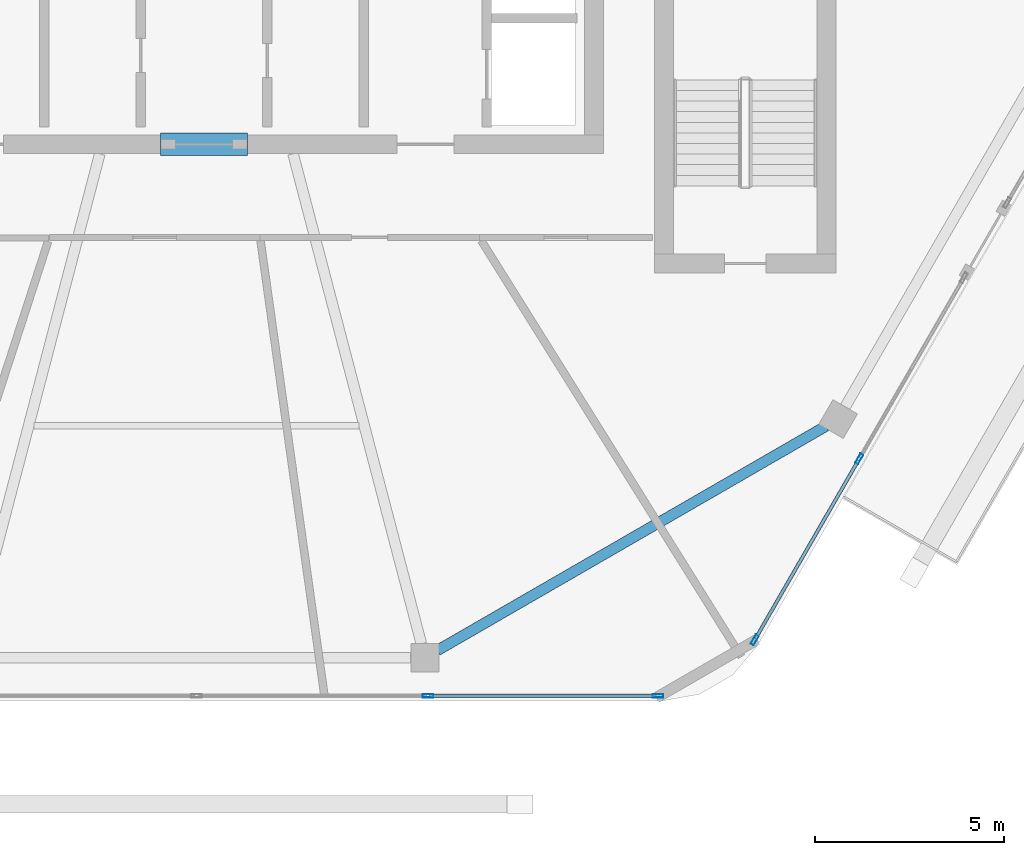
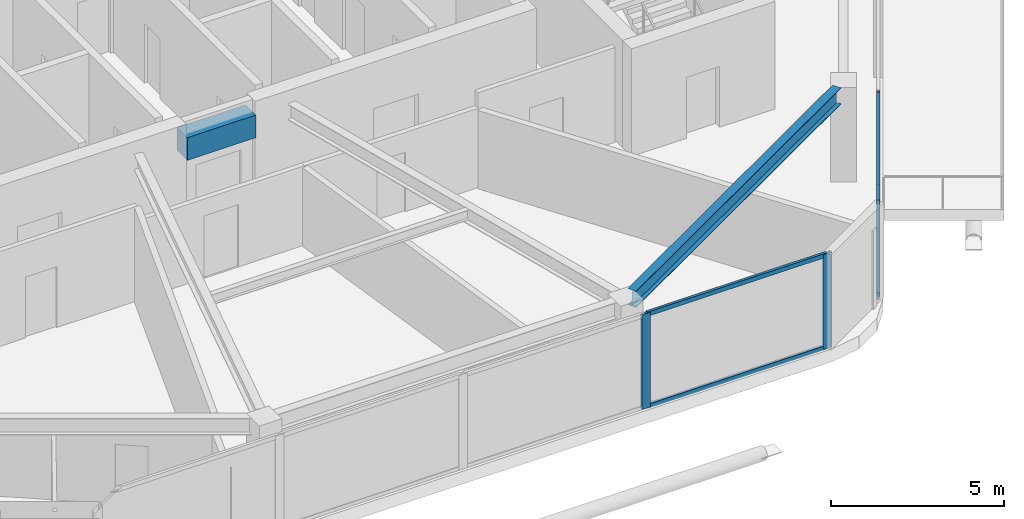
# One storey, part 6 of 22: 8 members, 2 beams, 2 elements without a shape of their own.
"""IFC4 building model written with IfcOpenShell, lengths in metres."""

from ifc_helpers import new_model, si_unit, direction, frame, origin, origin_2d, place, context, subcontext, project, spatial, rectangle, hollow_rectangle, i_section, extrude, material, material_profile, profile_set, type_object, element, aggregate, save


model = new_model("IFC4")

# Units and contexts
model_context = context("Model", 3, precision=1e-05, world=origin(), true_north=direction((0.0, 1.0)))
body_context = subcontext(model_context, "Body", "Model", "MODEL_VIEW")
ifc_project = project(units=[si_unit("LENGTHUNIT", "METRE"), si_unit("AREAUNIT", "SQUARE_METRE"), si_unit("VOLUMEUNIT", "CUBIC_METRE"), si_unit("PLANEANGLEUNIT", "RADIAN"), si_unit("MASSUNIT", "GRAM", prefix="KILO")], contexts=[model_context])

# Site, building, storey
site_placement = place(None, origin())
site = spatial("IfcSite", under=ifc_project, at=site_placement, CompositionType="ELEMENT")
building_placement = place(site_placement, origin())
building = spatial("IfcBuilding", under=site, at=building_placement, Name="Zuhravey Tower", CompositionType="ELEMENT")
storey_placement = place(building_placement, frame((0.0, 0.0, 357.60009765625)))
storey = spatial("IfcBuildingStorey", under=building, at=storey_placement, Name="L91", CompositionType="ELEMENT", Elevation=357.60009765625)

# Beam
ifc_material_1 = material(Name="Concrete C50/60", Category="concrete")
ifc_material_profile_1 = material_profile(ifc_material_1, rectangle(XDim=0.60009765625, YDim=0.800048828125, at=origin_2d()), Name="RC-600x800")
ifc_profile_set_1 = profile_set([ifc_material_profile_1], Name="Concrete C50/60")
beam_type_1 = type_object("IfcBeamType", Name="Core Coupling Beam RC600x800", PredefinedType="LINTEL", material=ifc_profile_set_1)
beam_1_placement = place(storey_placement, frame((35.052001953125, 22.5, 2.949951171875), z_axis=(1.0, 0.0, 0.0), x_axis=(0.0, 1.0, 0.0)))
element("IfcBeam", 1, at=beam_1_placement, inside=storey, type_object=beam_type_1, Name="L91 CB2 BM-L91-CB-S", PredefinedType="LINTEL", context=body_context, shape_type="SweptSolid", body=[
    extrude(rectangle(XDim=0.60009765625, YDim=0.800048828125, at=origin_2d()), origin(), (0.0, 0.0, 1.0), 2.2958984375),
])

# Curtain wall, members
ifc_material_2 = material(Name="Thermally broken anodised aluminium", Category="aluminium")
curtain_wall_type = type_object("IfcCurtainWallType", Name="Zone 3-4 High-Rise Curtain Wall CW4", PredefinedType="NOTDEFINED", material=ifc_material_2)
curtain_wall_1_placement = place(storey_placement, origin())
curtain_wall_1 = element("IfcCurtainWall", 2, at=curtain_wall_1_placement, inside=storey, type_object=curtain_wall_type, Name="L91 CW4 CW-L91-F6-2", PredefinedType="NOTDEFINED")
ifc_material_3 = material(Name="Anodised aluminium", Category="aluminium")
ifc_material_profile_2 = material_profile(ifc_material_3, hollow_rectangle(XDim=0.090087890625, YDim=0.284912109375, WallThickness=0.0048828125, at=origin_2d()), Name="ALU-RHS-90x285x5")
ifc_profile_set_2 = profile_set([ifc_material_profile_2], Name="Anodised aluminium")
member_type_1 = type_object("IfcMemberType", Name="Curtain-Wall Mullion 90x180", PredefinedType="MULLION", material=ifc_profile_set_2)
member_1_placement = place(storey_placement, frame((53.513916015625, 14.186767578125, 0.0), z_axis=(0.0, 0.0, 1.0), x_axis=(0.866023083552, -0.500004018739, 0.0)))
member_1 = element("IfcMember", 3, at=member_1_placement, type_object=member_type_1, Name="CW4 mullion 2", PredefinedType="MULLION", context=body_context, shape_type="SweptSolid", body=[
    extrude(hollow_rectangle(XDim=0.090087890625, YDim=0.284912109375, WallThickness=0.0048828125, at=origin_2d()), origin(), (0.0, 0.0, 1.0), 3.349853515625),
])
member_2_placement = place(storey_placement, frame((50.751708984375, 9.40234375, 0.0), z_axis=(0.0, 0.0, 1.0), x_axis=(0.866023083552, -0.500004018739, 0.0)))
member_2 = element("IfcMember", 4, at=member_2_placement, type_object=member_type_1, Name="CW4 mullion 3", PredefinedType="MULLION", context=body_context, shape_type="SweptSolid", body=[
    extrude(hollow_rectangle(XDim=0.090087890625, YDim=0.284912109375, WallThickness=0.0048828125, at=origin_2d()), origin(), (0.0, 0.0, 1.0), 3.349853515625),
])

curtain_wall_2_placement = place(storey_placement, origin())
curtain_wall_2 = element("IfcCurtainWall", 5, at=curtain_wall_2_placement, inside=storey, type_object=curtain_wall_type, Name="L91 CW4 CW-L91-F5-1", PredefinedType="NOTDEFINED")
member_3_placement = place(storey_placement, frame((48.1943359375, 7.92578125, 0.0), z_axis=(0.0, 0.0, 1.0), x_axis=(0.0, -1.0, 0.0)))
member_3 = element("IfcMember", 6, at=member_3_placement, type_object=member_type_1, Name="CW4 mullion 1", PredefinedType="MULLION", context=body_context, shape_type="SweptSolid", body=[
    extrude(hollow_rectangle(XDim=0.090087890625, YDim=0.284912109375, WallThickness=0.0048828125, at=origin_2d()), origin(), (0.0, 0.0, 1.0), 3.349853515625),
])
member_4_placement = place(storey_placement, frame((42.11962890625, 7.92578125, 0.0), z_axis=(0.0, 0.0, 1.0), x_axis=(0.0, -1.0, 0.0)))
member_4 = element("IfcMember", 7, at=member_4_placement, type_object=member_type_1, Name="CW4 mullion 2", PredefinedType="MULLION", context=body_context, shape_type="SweptSolid", body=[
    extrude(hollow_rectangle(XDim=0.090087890625, YDim=0.284912109375, WallThickness=0.0048828125, at=origin_2d()), origin(), (0.0, 0.0, 1.0), 3.349853515625),
])

# Member
ifc_material_profile_3 = material_profile(ifc_material_3, hollow_rectangle(XDim=0.090087890625, YDim=0.14990234375, WallThickness=0.0048828125, at=origin_2d()), Name="ALU-RHS-90x150x5")
ifc_profile_set_3 = profile_set([ifc_material_profile_3], Name="Anodised aluminium")
member_type_2 = type_object("IfcMemberType", Name="Curtain-Wall Transom 90x150", PredefinedType="USERDEFINED", material=ifc_profile_set_3)
member_5_placement = place(storey_placement, frame((53.491455078125, 14.14794921875, 0.044921875), z_axis=(-0.499994660107, -0.866028486751, 0.0), x_axis=(0.866028486751, -0.499994660107, 0.0)))
member_5 = element("IfcMember", 8, at=member_5_placement, type_object=member_type_2, Name="CW4 transom 2.1", ObjectType="TRANSOM", PredefinedType="USERDEFINED", context=body_context, shape_type="SweptSolid", body=[
    extrude(hollow_rectangle(XDim=0.090087890625, YDim=0.14990234375, WallThickness=0.0048828125, at=origin_2d()), origin(), (0.0, 0.0, 1.0), 5.4345703125),
])

member_6_placement = place(storey_placement, frame((53.491455078125, 14.14794921875, 3.304931640625), z_axis=(-0.499994660107, -0.866028486751, 0.0), x_axis=(0.866028486751, -0.499994660107, 0.0)))
member_6 = element("IfcMember", 9, at=member_6_placement, type_object=member_type_2, Name="CW4 transom 2.2", ObjectType="TRANSOM", PredefinedType="USERDEFINED", context=body_context, shape_type="SweptSolid", body=[
    extrude(hollow_rectangle(XDim=0.090087890625, YDim=0.14990234375, WallThickness=0.0048828125, at=origin_2d()), origin(), (0.0, 0.0, 1.0), 5.4345703125),
])

aggregate(curtain_wall_1, [member_1, member_2, member_5, member_6])

member_7_placement = place(storey_placement, frame((48.1494140625, 7.92578125, 0.044921875), z_axis=(-1.0, 0.0, 0.0), x_axis=(0.0, -1.0, 0.0)))
member_7 = element("IfcMember", 10, at=member_7_placement, type_object=member_type_2, Name="CW4 transom 1.1", ObjectType="TRANSOM", PredefinedType="USERDEFINED", context=body_context, shape_type="SweptSolid", body=[
    extrude(hollow_rectangle(XDim=0.090087890625, YDim=0.14990234375, WallThickness=0.0048828125, at=origin_2d()), origin(), (0.0, 0.0, 1.0), 5.98486328125),
])

member_8_placement = place(storey_placement, frame((48.1494140625, 7.92578125, 3.304931640625), z_axis=(-1.0, 0.0, 0.0), x_axis=(0.0, -1.0, 0.0)))
member_8 = element("IfcMember", 11, at=member_8_placement, type_object=member_type_2, Name="CW4 transom 1.2", ObjectType="TRANSOM", PredefinedType="USERDEFINED", context=body_context, shape_type="SweptSolid", body=[
    extrude(hollow_rectangle(XDim=0.090087890625, YDim=0.14990234375, WallThickness=0.0048828125, at=origin_2d()), origin(), (0.0, 0.0, 1.0), 5.98486328125),
])

aggregate(curtain_wall_2, [member_3, member_4, member_7, member_8])

# Beam
ifc_material_4 = material(Name="Steel SM355", Category="steel")
ifc_material_profile_4 = material_profile(ifc_material_4, i_section(OverallWidth=0.280029296875, OverallDepth=0.580078125, WebThickness=0.011962890625, FlangeThickness=0.01904296875, at=origin_2d()), Name="H-580x280x12x19")
ifc_profile_set_4 = profile_set([ifc_material_profile_4], Name="Steel SM355")
beam_type_2 = type_object("IfcBeamType", Name="Perimeter Ring Beam H580x280", PredefinedType="BEAM", material=ifc_profile_set_4)
beam_2_placement = place(storey_placement, frame((42.365966796875, 9.125, 3.059814453125), z_axis=(0.866030838723, 0.499990586292, 0.0), x_axis=(-0.499990586292, 0.866030838723, 0.0)))
element("IfcBeam", 12, at=beam_2_placement, inside=storey, type_object=beam_type_2, Name="L91 PB4 BM-L91-PB-10", PredefinedType="BEAM", context=body_context, shape_type="SweptSolid", body=[
    extrude(i_section(OverallWidth=0.280029296875, OverallDepth=0.580078125, WebThickness=0.011962890625, FlangeThickness=0.01904296875, at=origin_2d()), origin(), (0.0, 0.0, 1.0), 11.848876953125),
])

save(model, "model.ifc")
